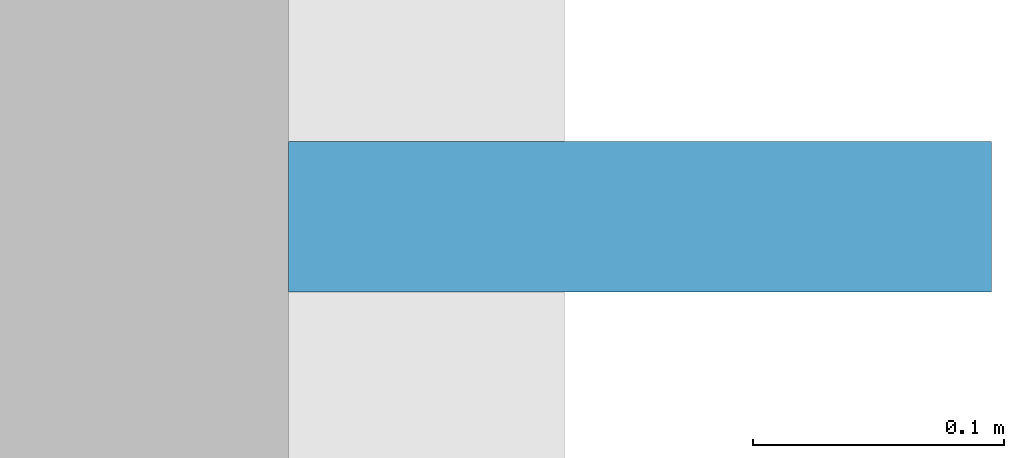
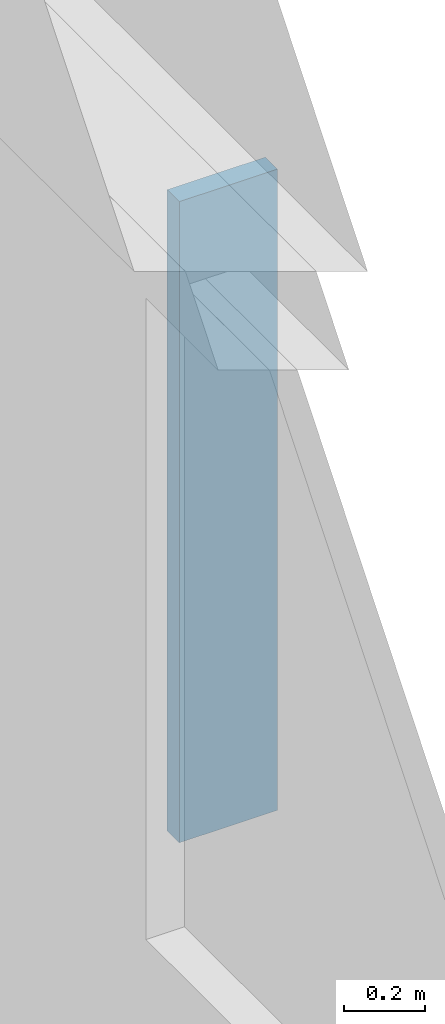
# One storey, part 4 of 9: 1 plate.
"""IFC4 building model written with IfcOpenShell, lengths in metres."""

from ifc_helpers import new_model, si_unit, direction, frame, origin, origin_2d, place, context, subcontext, project, spatial, rectangle, extrude, material, type_object, element, save


model = new_model("IFC4")

# Units and contexts
model_context = context("Model", 3, precision=1e-05, world=origin(), true_north=direction((0.0, 1.0)))
body_context = subcontext(model_context, "Body", "Model", "MODEL_VIEW")
ifc_project = project(units=[si_unit("LENGTHUNIT", "METRE"), si_unit("AREAUNIT", "SQUARE_METRE"), si_unit("VOLUMEUNIT", "CUBIC_METRE"), si_unit("PLANEANGLEUNIT", "RADIAN"), si_unit("MASSUNIT", "GRAM", prefix="KILO")], contexts=[model_context])

# Site, building, storey
site_placement = place(None, origin())
site = spatial("IfcSite", under=ifc_project, at=site_placement, CompositionType="ELEMENT")
building_placement = place(site_placement, origin())
building = spatial("IfcBuilding", under=site, at=building_placement, Name="Nhamokura Convention Tower", CompositionType="ELEMENT")
storey_placement = place(building_placement, frame((0.0, 0.0, 190.75)))
storey = spatial("IfcBuildingStorey", under=building, at=storey_placement, Name="L46", CompositionType="ELEMENT", Elevation=190.75)

# Plate
ifc_material = material(Name="Anodised bronze aluminium AA6063-T6", Category="aluminium")
plate_type = type_object("IfcPlateType", Name="BronzeSolarFin_2", PredefinedType="USERDEFINED", material=ifc_material)
plate_placement = place(storey_placement, frame((56.530029296875, 30.533203125, 0.849853515625), z_axis=(0.0, 0.0, 1.0), x_axis=(1.0, 0.0, 0.0)))
element("IfcPlate", 1, at=plate_placement, inside=storey, type_object=plate_type, Name="L46 Bronze Solar Shading Fin EAST 2", ObjectType="SOLAR_FIN", PredefinedType="USERDEFINED", context=body_context, shape_type="SweptSolid", body=[
    extrude(rectangle(XDim=0.280029296875, YDim=0.06005859375, at=origin_2d()), origin(), (0.0, 0.0, 1.0), 1.93505859375),
])

save(model, "model.ifc")
